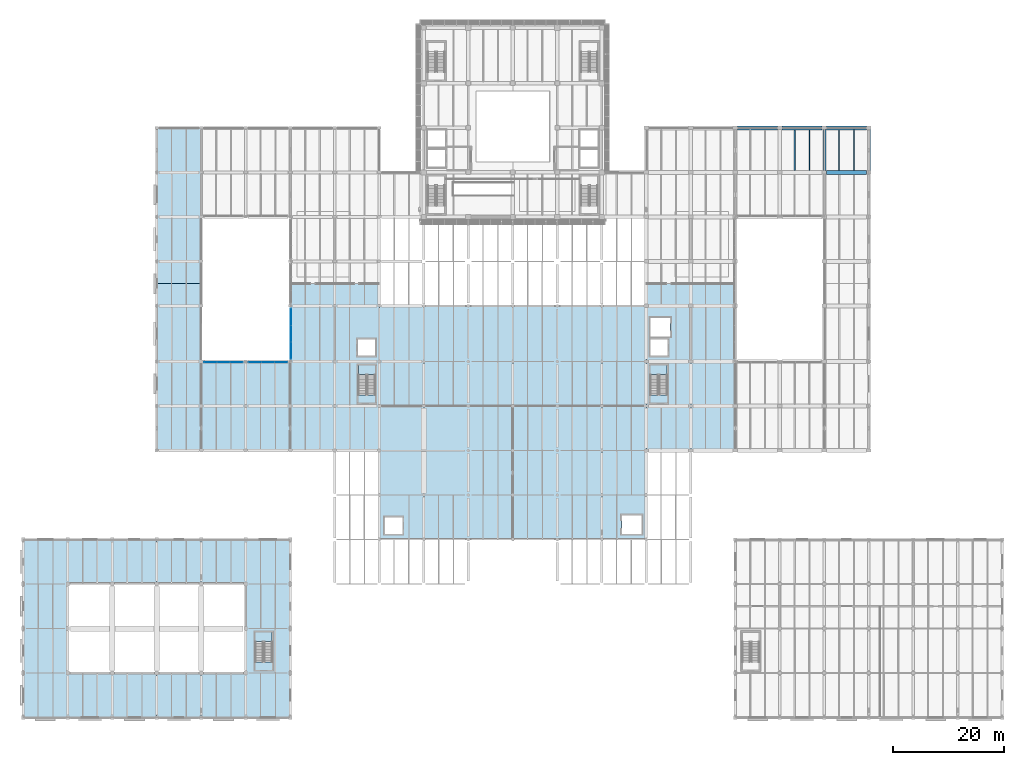
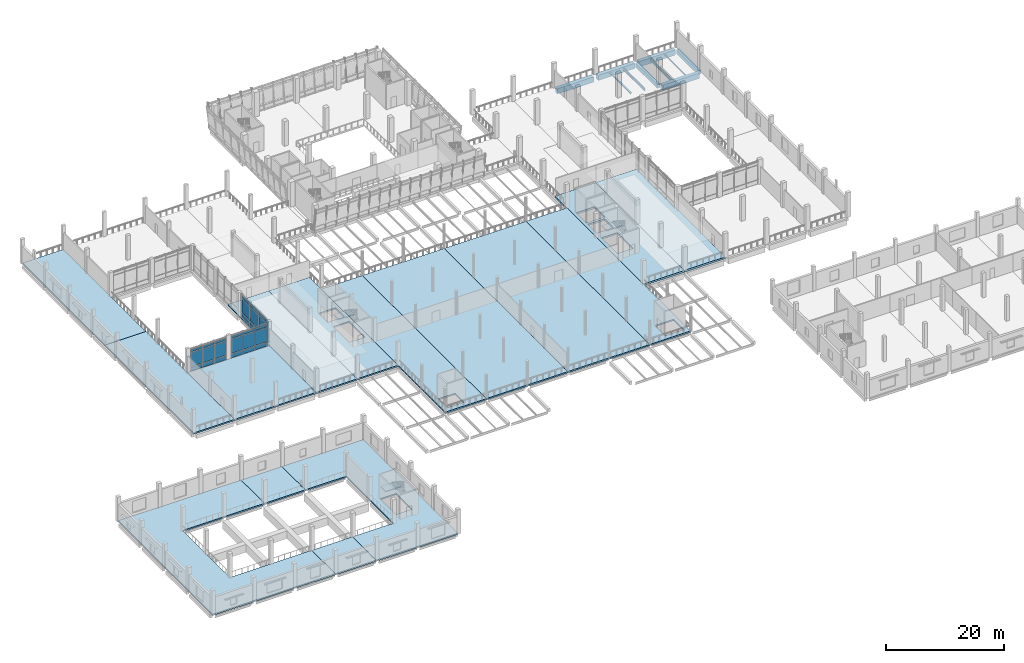
# One storey, part 26 of 61: 27 plates, 18 slabs, 10 beams, 6 elements without a shape of their own.
"""IFC4 building model written with IfcOpenShell, lengths in metres."""

from ifc_helpers import new_model, si_unit, direction, frame, origin, origin_2d, place, context, subcontext, project, spatial, polyline, rectangle, i_section, outline, extrude, material, layer, layer_set, material_profile, profile_set, type_object, element, aggregate, save


model = new_model("IFC4")

# Units and contexts
model_context = context("Model", 3, precision=1e-05, world=origin(), true_north=direction((0.0, 1.0)))
body_context = subcontext(model_context, "Body", "Model", "MODEL_VIEW")
ifc_project = project(units=[si_unit("LENGTHUNIT", "METRE"), si_unit("AREAUNIT", "SQUARE_METRE"), si_unit("VOLUMEUNIT", "CUBIC_METRE"), si_unit("PLANEANGLEUNIT", "RADIAN"), si_unit("MASSUNIT", "GRAM", prefix="KILO")], contexts=[model_context])

# Site, building, storey
site_placement = place(None, origin())
site = spatial("IfcSite", under=ifc_project, at=site_placement, CompositionType="ELEMENT")
building_placement = place(site_placement, origin())
building = spatial("IfcBuilding", under=site, at=building_placement, Name="Pecanmere Concourse Central Library", CompositionType="ELEMENT")
storey_placement = place(building_placement, frame((0.0, 0.0, 5.39990234375)))
storey = spatial("IfcBuildingStorey", under=building, at=storey_placement, Name="L02", CompositionType="ELEMENT", Elevation=5.39990234375)

# Beams
ifc_material_1 = material(Name="Concrete C40/50", Category="concrete")
ifc_material_profile_1 = material_profile(ifc_material_1, rectangle(XDim=0.56005859375, YDim=0.830078125, at=origin_2d()), Name="RC 560x830")
ifc_profile_set_1 = profile_set([ifc_material_profile_1], Name="Concrete C40/50")
beam_type_1 = type_object("IfcBeamType", Name="GRD_560x830", PredefinedType="USERDEFINED", material=ifc_profile_set_1)
for number, where, z_axis, x_axis, name in (
    (1, (144.0, 98.330078125, -0.784912109375), (0.0, 1.0, 0.0), (-1.0, 0.0, 0.0), "Primary Girder Y L02-1135"),
    (2, (152.0, 98.330078125, -0.784912109375), (0.0, 1.0, 0.0), (-1.0, 0.0, 0.0), "Primary Girder Y L02-1146"),
):
    element("IfcBeam", number, at=place(storey_placement, frame(where, z_axis=z_axis, x_axis=x_axis)), inside=storey, type_object=beam_type_1, Name=name, ObjectType="GIRDER", PredefinedType="USERDEFINED", context=body_context, shape_type="SweptSolid", body=[
        extrude(rectangle(XDim=0.56005859375, YDim=0.830078125, at=origin_2d()), origin(), (0.0, 0.0, 1.0), 7.33984375),
    ])
ifc_material_2 = material(Name="Concrete C40/50", Category="concrete")
ifc_material_profile_2 = material_profile(ifc_material_2, rectangle(XDim=0.719970703125, YDim=1.080078125, at=origin_2d()), Name="RC 720x1080")
ifc_profile_set_2 = profile_set([ifc_material_profile_2], Name="Concrete C40/50")
beam_type_2 = type_object("IfcBeamType", Name="GRD_720x1080", PredefinedType="USERDEFINED", material=ifc_profile_set_2)
for number, where, z_axis, x_axis, name in (
    (3, (144.429931640625, 98.0, -0.909912109375), (1.0, 0.0, 0.0), (0.0, 1.0, 0.0), "Primary Girder X L02-0940"),
    (4, (128.429931640625, 106.0, -0.909912109375), (1.0, 0.0, 0.0), (0.0, 1.0, 0.0), "Primary Girder X L02-0950"),
    (5, (136.429931640625, 106.0, -0.909912109375), (1.0, 0.0, 0.0), (0.0, 1.0, 0.0), "Primary Girder X L02-0951"),
    (6, (144.429931640625, 106.0, -0.909912109375), (1.0, 0.0, 0.0), (0.0, 1.0, 0.0), "Primary Girder X L02-0952"),
):
    element("IfcBeam", number, at=place(storey_placement, frame(where, z_axis=z_axis, x_axis=x_axis)), inside=storey, type_object=beam_type_2, Name=name, ObjectType="GIRDER", PredefinedType="USERDEFINED", context=body_context, shape_type="SweptSolid", body=[
        extrude(rectangle(XDim=0.719970703125, YDim=1.080078125, at=origin_2d()), origin(), (0.0, 0.0, 1.0), 7.14013671875),
    ])
ifc_material_3 = material(Name="Structural steel ASTM A992 Grade 50", Category="steel")
ifc_material_profile_3 = material_profile(ifc_material_3, i_section(OverallWidth=0.1650390625, OverallDepth=0.200927734375, WebThickness=0.006103515625, FlangeThickness=0.01025390625, at=origin_2d()), Name="W200x35.9")
ifc_profile_set_3 = profile_set([ifc_material_profile_3], Name="Structural steel ASTM A992 Grade 50")
beam_type_3 = type_object("IfcBeamType", Name="SBM_W200x36", PredefinedType="LINTEL", material=ifc_profile_set_3)
beam_1_placement = place(storey_placement, frame((149.333251953125, 98.360107421875, -0.470458984375), z_axis=(0.0, 1.0, 0.0), x_axis=(-1.0, 0.0, 0.0)))
element("IfcBeam", 7, at=beam_1_placement, inside=storey, type_object=beam_type_3, Name="Secondary Floor Joist L02-1447", PredefinedType="LINTEL", context=body_context, shape_type="SweptSolid", body=[
    extrude(i_section(OverallWidth=0.1650390625, OverallDepth=0.200927734375, WebThickness=0.006103515625, FlangeThickness=0.01025390625, at=origin_2d()), origin(), (0.0, 0.0, 1.0), 7.27978515625),
])
ifc_material_4 = material(Name="Structural steel ASTM A992 Grade 50", Category="steel")
ifc_material_profile_4 = material_profile(ifc_material_4, i_section(OverallWidth=0.25390625, OverallDepth=0.2529296875, WebThickness=0.008544921875, FlangeThickness=0.01416015625, at=origin_2d()), Name="W250x73")
ifc_profile_set_4 = profile_set([ifc_material_profile_4], Name="Structural steel ASTM A992 Grade 50")
beam_type_4 = type_object("IfcBeamType", Name="SBM_W250x73", PredefinedType="BEAM", material=ifc_profile_set_4)
beam_2_placement = place(storey_placement, frame((138.666748046875, 98.360107421875, -0.496337890625), z_axis=(0.0, 1.0, 0.0), x_axis=(-1.0, 0.0, 0.0)))
element("IfcBeam", 8, at=beam_2_placement, inside=storey, type_object=beam_type_4, Name="Secondary Floor Joist L02-1424", PredefinedType="BEAM", context=body_context, shape_type="SweptSolid", body=[
    extrude(i_section(OverallWidth=0.25390625, OverallDepth=0.2529296875, WebThickness=0.008544921875, FlangeThickness=0.01416015625, at=origin_2d()), origin(), (0.0, 0.0, 1.0), 7.27978515625),
])
ifc_material_5 = material(Name="Structural steel ASTM A992 Grade 50", Category="steel")
ifc_material_profile_5 = material_profile(ifc_material_5, i_section(OverallWidth=0.2109375, OverallDepth=0.5390625, WebThickness=0.01171875, FlangeThickness=0.018798828125, at=origin_2d()), Name="W530x109")
ifc_profile_set_5 = profile_set([ifc_material_profile_5], Name="Structural steel ASTM A992 Grade 50")
beam_type_5 = type_object("IfcBeamType", Name="SBM_W530x109", PredefinedType="USERDEFINED", material=ifc_profile_set_5)
beam_3_placement = place(storey_placement, frame((146.666748046875, 98.360107421875, -0.639404296875), z_axis=(0.0, 1.0, 0.0), x_axis=(-1.0, 0.0, 0.0)))
element("IfcBeam", 9, at=beam_3_placement, inside=storey, type_object=beam_type_5, Name="Secondary Floor Joist L02-1446", ObjectType="GIRDER", PredefinedType="USERDEFINED", context=body_context, shape_type="SweptSolid", body=[
    extrude(i_section(OverallWidth=0.2109375, OverallDepth=0.5390625, WebThickness=0.01171875, FlangeThickness=0.018798828125, at=origin_2d()), origin(), (0.0, 0.0, 1.0), 7.27978515625),
])
ifc_material_6 = material(Name="Structural steel ASTM A992 Grade 50", Category="steel")
ifc_material_profile_6 = material_profile(ifc_material_6, i_section(OverallWidth=0.208984375, OverallDepth=0.532958984375, WebThickness=0.01025390625, FlangeThickness=0.015625, at=origin_2d()), Name="W530x92")
ifc_profile_set_6 = profile_set([ifc_material_profile_6], Name="Structural steel ASTM A992 Grade 50")
beam_type_6 = type_object("IfcBeamType", Name="SBM_W530x92", PredefinedType="BEAM", material=ifc_profile_set_6)
beam_4_placement = place(storey_placement, frame((141.333251953125, 98.360107421875, -0.636474609375), z_axis=(0.0, 1.0, 0.0), x_axis=(-1.0, 0.0, 0.0)))
element("IfcBeam", 10, at=beam_4_placement, inside=storey, type_object=beam_type_6, Name="Secondary Floor Joist L02-1425", PredefinedType="BEAM", context=body_context, shape_type="SweptSolid", body=[
    extrude(i_section(OverallWidth=0.208984375, OverallDepth=0.532958984375, WebThickness=0.01025390625, FlangeThickness=0.015625, at=origin_2d()), origin(), (0.0, 0.0, 1.0), 7.27978515625),
])

# Curtain wall, plates
ifc_material_7 = material(Name="Clear anodized aluminium alloy 6063-T6", Category="aluminium")
curtain_wall_type = type_object("IfcCurtainWallType", Name="CW_CLOISTER_GLAZ", PredefinedType="USERDEFINED", material=ifc_material_7)
curtain_wall_1_placement = place(storey_placement, origin())
curtain_wall_1 = element("IfcCurtainWall", 11, at=curtain_wall_1_placement, inside=storey, type_object=curtain_wall_type, Name="Unitised Curtain Wall CW-04 L02-116", ObjectType="UNITISED CURTAIN WALL", PredefinedType="USERDEFINED")
ifc_material_8 = material(Name="White ceramic-fritted insulated spandrel glazing", Category="glass")
ifc_layer_1 = layer(ifc_material_8, 0.053955078125, Name="CWP_SPN_54")
ifc_layer_set_1 = layer_set([ifc_layer_1], Name="White ceramic-fritted insulated spandrel glazing")
plate_type_1 = type_object("IfcPlateType", Name="CWP_SPN_54", PredefinedType="CURTAIN_PANEL", material=ifc_layer_set_1)
plate_1_placement = place(storey_placement, frame((48.14990234375, 71.998291015625, 0.14013671875), z_axis=(0.0, 0.0, 1.0), x_axis=(0.0, -1.0, 0.0)))
plate_1 = element("IfcPlate", 12, at=plate_1_placement, type_object=plate_type_1, Name="CW-04 Spandrel Panel 1.1", PredefinedType="CURTAIN_PANEL", context=body_context, shape_type="SweptSolid", body=[
    extrude(rectangle(XDim=2.92333984375, YDim=0.035888671875, at=origin_2d()), origin(), (0.0, 0.0, 1.0), 0.7900390625),
])
plate_2_placement = place(storey_placement, frame((48.14990234375, 69.0, 0.14013671875), z_axis=(0.0, 0.0, 1.0), x_axis=(0.0, -1.0, 0.0)))
plate_2 = element("IfcPlate", 13, at=plate_2_placement, type_object=plate_type_1, Name="CW-04 Spandrel Panel 2.1", PredefinedType="CURTAIN_PANEL", context=body_context, shape_type="SweptSolid", body=[
    extrude(rectangle(XDim=2.953369140625, YDim=0.035888671875, at=origin_2d()), origin(), (0.0, 0.0, 1.0), 0.7900390625),
])
plate_3_placement = place(storey_placement, frame((48.14990234375, 66.001708984375, 0.14013671875), z_axis=(0.0, 0.0, 1.0), x_axis=(0.0, -1.0, 0.0)))
plate_3 = element("IfcPlate", 14, at=plate_3_placement, type_object=plate_type_1, Name="CW-04 Spandrel Panel 3.1", PredefinedType="CURTAIN_PANEL", context=body_context, shape_type="SweptSolid", body=[
    extrude(rectangle(XDim=2.92333984375, YDim=0.035888671875, at=origin_2d()), origin(), (0.0, 0.0, 1.0), 0.7900390625),
])

curtain_wall_2_placement = place(storey_placement, origin())
curtain_wall_2 = element("IfcCurtainWall", 15, at=curtain_wall_2_placement, inside=storey, type_object=curtain_wall_type, Name="Unitised Curtain Wall CW-04 L02-125", ObjectType="UNITISED CURTAIN WALL", PredefinedType="USERDEFINED")
plate_4_placement = place(storey_placement, frame((33.668212890625, 63.85009765625, 0.14013671875), z_axis=(0.0, 0.0, 1.0), x_axis=(1.0, 0.0, 0.0)))
plate_4 = element("IfcPlate", 16, at=plate_4_placement, type_object=plate_type_1, Name="CW-04 Spandrel Panel 1.1", PredefinedType="CURTAIN_PANEL", context=body_context, shape_type="SweptSolid", body=[
    extrude(rectangle(XDim=2.256591796875, YDim=0.035888671875, at=origin_2d()), origin(), (0.0, 0.0, 1.0), 0.7900390625),
])
plate_5_placement = place(storey_placement, frame((36.0, 63.85009765625, 0.14013671875), z_axis=(0.0, 0.0, 1.0), x_axis=(1.0, 0.0, 0.0)))
plate_5 = element("IfcPlate", 17, at=plate_5_placement, type_object=plate_type_1, Name="CW-04 Spandrel Panel 2.1", PredefinedType="CURTAIN_PANEL", context=body_context, shape_type="SweptSolid", body=[
    extrude(rectangle(XDim=2.28662109375, YDim=0.035888671875, at=origin_2d()), origin(), (0.0, 0.0, 1.0), 0.7900390625),
])
plate_6_placement = place(storey_placement, frame((38.331787109375, 63.85009765625, 0.14013671875), z_axis=(0.0, 0.0, 1.0), x_axis=(1.0, 0.0, 0.0)))
plate_6 = element("IfcPlate", 18, at=plate_6_placement, type_object=plate_type_1, Name="CW-04 Spandrel Panel 3.1", PredefinedType="CURTAIN_PANEL", context=body_context, shape_type="SweptSolid", body=[
    extrude(rectangle(XDim=2.256591796875, YDim=0.035888671875, at=origin_2d()), origin(), (0.0, 0.0, 1.0), 0.7900390625),
])

curtain_wall_3_placement = place(storey_placement, origin())
curtain_wall_3 = element("IfcCurtainWall", 19, at=curtain_wall_3_placement, inside=storey, type_object=curtain_wall_type, Name="Unitised Curtain Wall CW-04 L02-127", ObjectType="UNITISED CURTAIN WALL", PredefinedType="USERDEFINED")
plate_7_placement = place(storey_placement, frame((41.668212890625, 63.85009765625, 0.14013671875), z_axis=(0.0, 0.0, 1.0), x_axis=(1.0, 0.0, 0.0)))
plate_7 = element("IfcPlate", 20, at=plate_7_placement, type_object=plate_type_1, Name="CW-04 Spandrel Panel 1.1", PredefinedType="CURTAIN_PANEL", context=body_context, shape_type="SweptSolid", body=[
    extrude(rectangle(XDim=2.256591796875, YDim=0.035888671875, at=origin_2d()), origin(), (0.0, 0.0, 1.0), 0.7900390625),
])
plate_8_placement = place(storey_placement, frame((44.0, 63.85009765625, 0.14013671875), z_axis=(0.0, 0.0, 1.0), x_axis=(1.0, 0.0, 0.0)))
plate_8 = element("IfcPlate", 21, at=plate_8_placement, type_object=plate_type_1, Name="CW-04 Spandrel Panel 2.1", PredefinedType="CURTAIN_PANEL", context=body_context, shape_type="SweptSolid", body=[
    extrude(rectangle(XDim=2.28662109375, YDim=0.035888671875, at=origin_2d()), origin(), (0.0, 0.0, 1.0), 0.7900390625),
])
plate_9_placement = place(storey_placement, frame((46.331787109375, 63.85009765625, 0.14013671875), z_axis=(0.0, 0.0, 1.0), x_axis=(1.0, 0.0, 0.0)))
plate_9 = element("IfcPlate", 22, at=plate_9_placement, type_object=plate_type_1, Name="CW-04 Spandrel Panel 3.1", PredefinedType="CURTAIN_PANEL", context=body_context, shape_type="SweptSolid", body=[
    extrude(rectangle(XDim=2.256591796875, YDim=0.035888671875, at=origin_2d()), origin(), (0.0, 0.0, 1.0), 0.7900390625),
])

# Plate
ifc_material_9 = material(Name="Low-iron clear insulated glazing", Category="glass")
ifc_layer_2 = layer(ifc_material_9, 0.035888671875, Name="CWP_VIS_36")
ifc_layer_set_2 = layer_set([ifc_layer_2], Name="Low-iron clear insulated glazing")
plate_type_2 = type_object("IfcPlateType", Name="CWP_VIS_36", PredefinedType="CURTAIN_PANEL", material=ifc_layer_set_2)
plate_10_placement = place(storey_placement, frame((48.14990234375, 71.998291015625, 1.070068359375), z_axis=(0.0, 0.0, 1.0), x_axis=(0.0, -1.0, 0.0)))
plate_10 = element("IfcPlate", 23, at=plate_10_placement, type_object=plate_type_2, Name="CW-04 Vision Panel 1.2", PredefinedType="CURTAIN_PANEL", context=body_context, shape_type="SweptSolid", body=[
    extrude(rectangle(XDim=2.92333984375, YDim=0.035888671875, at=origin_2d()), origin(), (0.0, 0.0, 1.0), 2.919921875),
])

plate_11_placement = place(storey_placement, frame((48.14990234375, 71.998291015625, 4.1298828125), z_axis=(0.0, 0.0, 1.0), x_axis=(0.0, -1.0, 0.0)))
plate_11 = element("IfcPlate", 24, at=plate_11_placement, type_object=plate_type_2, Name="CW-04 Vision Panel 1.3", PredefinedType="CURTAIN_PANEL", context=body_context, shape_type="SweptSolid", body=[
    extrude(rectangle(XDim=2.92333984375, YDim=0.035888671875, at=origin_2d()), origin(), (0.0, 0.0, 1.0), 0.489990234375),
])

plate_12_placement = place(storey_placement, frame((48.14990234375, 69.0, 1.070068359375), z_axis=(0.0, 0.0, 1.0), x_axis=(0.0, -1.0, 0.0)))
plate_12 = element("IfcPlate", 25, at=plate_12_placement, type_object=plate_type_2, Name="CW-04 Vision Panel 2.2", PredefinedType="CURTAIN_PANEL", context=body_context, shape_type="SweptSolid", body=[
    extrude(rectangle(XDim=2.953369140625, YDim=0.035888671875, at=origin_2d()), origin(), (0.0, 0.0, 1.0), 2.919921875),
])

plate_13_placement = place(storey_placement, frame((48.14990234375, 69.0, 4.1298828125), z_axis=(0.0, 0.0, 1.0), x_axis=(0.0, -1.0, 0.0)))
plate_13 = element("IfcPlate", 26, at=plate_13_placement, type_object=plate_type_2, Name="CW-04 Vision Panel 2.3", PredefinedType="CURTAIN_PANEL", context=body_context, shape_type="SweptSolid", body=[
    extrude(rectangle(XDim=2.953369140625, YDim=0.035888671875, at=origin_2d()), origin(), (0.0, 0.0, 1.0), 0.489990234375),
])

plate_14_placement = place(storey_placement, frame((48.14990234375, 66.001708984375, 1.070068359375), z_axis=(0.0, 0.0, 1.0), x_axis=(0.0, -1.0, 0.0)))
plate_14 = element("IfcPlate", 27, at=plate_14_placement, type_object=plate_type_2, Name="CW-04 Vision Panel 3.2", PredefinedType="CURTAIN_PANEL", context=body_context, shape_type="SweptSolid", body=[
    extrude(rectangle(XDim=2.92333984375, YDim=0.035888671875, at=origin_2d()), origin(), (0.0, 0.0, 1.0), 2.919921875),
])

plate_15_placement = place(storey_placement, frame((48.14990234375, 66.001708984375, 4.1298828125), z_axis=(0.0, 0.0, 1.0), x_axis=(0.0, -1.0, 0.0)))
plate_15 = element("IfcPlate", 28, at=plate_15_placement, type_object=plate_type_2, Name="CW-04 Vision Panel 3.3", PredefinedType="CURTAIN_PANEL", context=body_context, shape_type="SweptSolid", body=[
    extrude(rectangle(XDim=2.92333984375, YDim=0.035888671875, at=origin_2d()), origin(), (0.0, 0.0, 1.0), 0.489990234375),
])

aggregate(curtain_wall_1, [plate_1, plate_10, plate_11, plate_2, plate_12, plate_13, plate_3, plate_14, plate_15])

plate_16_placement = place(storey_placement, frame((33.668212890625, 63.85009765625, 1.070068359375), z_axis=(0.0, 0.0, 1.0), x_axis=(1.0, 0.0, 0.0)))
plate_16 = element("IfcPlate", 29, at=plate_16_placement, type_object=plate_type_2, Name="CW-04 Vision Panel 1.2", PredefinedType="CURTAIN_PANEL", context=body_context, shape_type="SweptSolid", body=[
    extrude(rectangle(XDim=2.256591796875, YDim=0.035888671875, at=origin_2d()), origin(), (0.0, 0.0, 1.0), 2.919921875),
])

plate_17_placement = place(storey_placement, frame((33.668212890625, 63.85009765625, 4.1298828125), z_axis=(0.0, 0.0, 1.0), x_axis=(1.0, 0.0, 0.0)))
plate_17 = element("IfcPlate", 30, at=plate_17_placement, type_object=plate_type_2, Name="CW-04 Vision Panel 1.3", PredefinedType="CURTAIN_PANEL", context=body_context, shape_type="SweptSolid", body=[
    extrude(rectangle(XDim=2.256591796875, YDim=0.035888671875, at=origin_2d()), origin(), (0.0, 0.0, 1.0), 0.489990234375),
])

plate_18_placement = place(storey_placement, frame((36.0, 63.85009765625, 1.070068359375), z_axis=(0.0, 0.0, 1.0), x_axis=(1.0, 0.0, 0.0)))
plate_18 = element("IfcPlate", 31, at=plate_18_placement, type_object=plate_type_2, Name="CW-04 Vision Panel 2.2", PredefinedType="CURTAIN_PANEL", context=body_context, shape_type="SweptSolid", body=[
    extrude(rectangle(XDim=2.28662109375, YDim=0.035888671875, at=origin_2d()), origin(), (0.0, 0.0, 1.0), 2.919921875),
])

plate_19_placement = place(storey_placement, frame((36.0, 63.85009765625, 4.1298828125), z_axis=(0.0, 0.0, 1.0), x_axis=(1.0, 0.0, 0.0)))
plate_19 = element("IfcPlate", 32, at=plate_19_placement, type_object=plate_type_2, Name="CW-04 Vision Panel 2.3", PredefinedType="CURTAIN_PANEL", context=body_context, shape_type="SweptSolid", body=[
    extrude(rectangle(XDim=2.28662109375, YDim=0.035888671875, at=origin_2d()), origin(), (0.0, 0.0, 1.0), 0.489990234375),
])

plate_20_placement = place(storey_placement, frame((38.331787109375, 63.85009765625, 1.070068359375), z_axis=(0.0, 0.0, 1.0), x_axis=(1.0, 0.0, 0.0)))
plate_20 = element("IfcPlate", 33, at=plate_20_placement, type_object=plate_type_2, Name="CW-04 Vision Panel 3.2", PredefinedType="CURTAIN_PANEL", context=body_context, shape_type="SweptSolid", body=[
    extrude(rectangle(XDim=2.256591796875, YDim=0.035888671875, at=origin_2d()), origin(), (0.0, 0.0, 1.0), 2.919921875),
])

plate_21_placement = place(storey_placement, frame((38.331787109375, 63.85009765625, 4.1298828125), z_axis=(0.0, 0.0, 1.0), x_axis=(1.0, 0.0, 0.0)))
plate_21 = element("IfcPlate", 34, at=plate_21_placement, type_object=plate_type_2, Name="CW-04 Vision Panel 3.3", PredefinedType="CURTAIN_PANEL", context=body_context, shape_type="SweptSolid", body=[
    extrude(rectangle(XDim=2.256591796875, YDim=0.035888671875, at=origin_2d()), origin(), (0.0, 0.0, 1.0), 0.489990234375),
])

aggregate(curtain_wall_2, [plate_4, plate_16, plate_17, plate_5, plate_18, plate_19, plate_6, plate_20, plate_21])

plate_22_placement = place(storey_placement, frame((41.668212890625, 63.85009765625, 1.070068359375), z_axis=(0.0, 0.0, 1.0), x_axis=(1.0, 0.0, 0.0)))
plate_22 = element("IfcPlate", 35, at=plate_22_placement, type_object=plate_type_2, Name="CW-04 Vision Panel 1.2", PredefinedType="CURTAIN_PANEL", context=body_context, shape_type="SweptSolid", body=[
    extrude(rectangle(XDim=2.256591796875, YDim=0.035888671875, at=origin_2d()), origin(), (0.0, 0.0, 1.0), 2.919921875),
])

plate_23_placement = place(storey_placement, frame((41.668212890625, 63.85009765625, 4.1298828125), z_axis=(0.0, 0.0, 1.0), x_axis=(1.0, 0.0, 0.0)))
plate_23 = element("IfcPlate", 36, at=plate_23_placement, type_object=plate_type_2, Name="CW-04 Vision Panel 1.3", PredefinedType="CURTAIN_PANEL", context=body_context, shape_type="SweptSolid", body=[
    extrude(rectangle(XDim=2.256591796875, YDim=0.035888671875, at=origin_2d()), origin(), (0.0, 0.0, 1.0), 0.489990234375),
])

plate_24_placement = place(storey_placement, frame((44.0, 63.85009765625, 1.070068359375), z_axis=(0.0, 0.0, 1.0), x_axis=(1.0, 0.0, 0.0)))
plate_24 = element("IfcPlate", 37, at=plate_24_placement, type_object=plate_type_2, Name="CW-04 Vision Panel 2.2", PredefinedType="CURTAIN_PANEL", context=body_context, shape_type="SweptSolid", body=[
    extrude(rectangle(XDim=2.28662109375, YDim=0.035888671875, at=origin_2d()), origin(), (0.0, 0.0, 1.0), 2.919921875),
])

plate_25_placement = place(storey_placement, frame((44.0, 63.85009765625, 4.1298828125), z_axis=(0.0, 0.0, 1.0), x_axis=(1.0, 0.0, 0.0)))
plate_25 = element("IfcPlate", 38, at=plate_25_placement, type_object=plate_type_2, Name="CW-04 Vision Panel 2.3", PredefinedType="CURTAIN_PANEL", context=body_context, shape_type="SweptSolid", body=[
    extrude(rectangle(XDim=2.28662109375, YDim=0.035888671875, at=origin_2d()), origin(), (0.0, 0.0, 1.0), 0.489990234375),
])

plate_26_placement = place(storey_placement, frame((46.331787109375, 63.85009765625, 1.070068359375), z_axis=(0.0, 0.0, 1.0), x_axis=(1.0, 0.0, 0.0)))
plate_26 = element("IfcPlate", 39, at=plate_26_placement, type_object=plate_type_2, Name="CW-04 Vision Panel 3.2", PredefinedType="CURTAIN_PANEL", context=body_context, shape_type="SweptSolid", body=[
    extrude(rectangle(XDim=2.256591796875, YDim=0.035888671875, at=origin_2d()), origin(), (0.0, 0.0, 1.0), 2.919921875),
])

plate_27_placement = place(storey_placement, frame((46.331787109375, 63.85009765625, 4.1298828125), z_axis=(0.0, 0.0, 1.0), x_axis=(1.0, 0.0, 0.0)))
plate_27 = element("IfcPlate", 40, at=plate_27_placement, type_object=plate_type_2, Name="CW-04 Vision Panel 3.3", PredefinedType="CURTAIN_PANEL", context=body_context, shape_type="SweptSolid", body=[
    extrude(rectangle(XDim=2.256591796875, YDim=0.035888671875, at=origin_2d()), origin(), (0.0, 0.0, 1.0), 0.489990234375),
])

aggregate(curtain_wall_3, [plate_7, plate_22, plate_23, plate_8, plate_24, plate_25, plate_9, plate_26, plate_27])

# Slabs
ifc_material_10 = material(Name="Concrete C35/45", Category="concrete")
ifc_layer_3 = layer(ifc_material_10, 0.3701171875, Name="SLAB_COMPACT_370")
ifc_layer_set_3 = layer_set([ifc_layer_3], Name="Concrete C35/45")
slab_type_1 = type_object("IfcSlabType", Name="SLAB_COMPACT_370", PredefinedType="FLOOR", material=ifc_layer_set_3)
slab_1_placement = place(storey_placement, frame((0.0, 0.0, -0.369873046875)))
element("IfcSlab", 41, at=slab_1_placement, inside=storey, type_object=slab_type_1, Name="Floor Slab V2 L02-071", PredefinedType="FLOOR", context=body_context, shape_type="SweptSolid", body=[
    extrude(outline(polyline([(112.0, 48.0), (112.0, 78.0), (120.0, 78.0), (120.0, 48.0), (112.0, 48.0)]), holes=[polyline([(115.760009765625, 58.030029296875), (115.760009765625, 63.3701171875), (112.699951171875, 63.3701171875), (112.699951171875, 58.030029296875), (115.760009765625, 58.030029296875)]), polyline([(115.89990234375, 65.0), (115.89990234375, 68.0), (112.699951171875, 68.0), (112.699951171875, 65.0), (115.89990234375, 65.0)]), polyline([(116.300048828125, 71.89990234375), (112.699951171875, 71.89990234375), (112.699951171875, 68.5), (116.300048828125, 68.5), (116.300048828125, 71.89990234375)])]), origin(), (0.0, 0.0, 1.0), 0.369873046875),
])
slab_2_placement = place(storey_placement, frame((0.0, 0.0, -0.369873046875)))
element("IfcSlab", 42, at=slab_2_placement, inside=storey, type_object=slab_type_1, Name="Floor Slab V2 L02-073", PredefinedType="FLOOR", context=body_context, shape_type="SweptSolid", body=[
    extrude(outline(polyline([(128.0, 48.0), (120.0, 48.0), (120.0, 78.0), (128.0, 78.0), (128.0, 64.0), (128.0, 48.0)])), origin(), (0.0, 0.0, 1.0), 0.369873046875),
])

# Stair, slab
ifc_material_11 = material(Name="Concrete C35/45", Category="concrete")
stair_type_1 = type_object("IfcStairType", Name="STAIR_TYPE_ST-05-1821", PredefinedType="USERDEFINED", material=ifc_material_11)
stair_1_placement = place(storey_placement, origin())
stair_1 = element("IfcStair", 43, at=stair_1_placement, inside=storey, type_object=stair_type_1, Name="L02 Protected Stair ST-05", ObjectType="TWO_RETURN_STAIR", PredefinedType="USERDEFINED")
ifc_material_12 = material(Name="Concrete C35/45", Category="concrete")
ifc_layer_4 = layer(ifc_material_12, 0.199951171875, Name="SLAB_LANDING_200")
ifc_layer_set_4 = layer_set([ifc_layer_4], Name="Concrete C35/45")
slab_type_2 = type_object("IfcSlabType", Name="SLAB_LANDING_200", PredefinedType="LANDING", material=ifc_layer_set_4)
slab_3_placement = place(storey_placement, frame((0.0, 0.0, 2.35009765625)))
slab_3 = element("IfcSlab", 44, at=slab_3_placement, type_object=slab_type_2, Name="ST-05-1821 landing 1", PredefinedType="LANDING", context=body_context, shape_type="SweptSolid", body=[
    extrude(outline(polyline([(115.760009765625, 61.639892578125), (115.760009765625, 63.3701171875), (112.699951171875, 63.3701171875), (112.699951171875, 61.639892578125), (115.760009765625, 61.639892578125)])), origin(), (0.0, 0.0, 1.0), 0.199951171875),
])
aggregate(stair_1, [slab_3])

ifc_material_13 = material(Name="Concrete C35/45", Category="concrete")
stair_type_2 = type_object("IfcStairType", Name="STAIR_TYPE_ST-06-1821", PredefinedType="USERDEFINED", material=ifc_material_13)
stair_2_placement = place(storey_placement, origin())
stair_2 = element("IfcStair", 45, at=stair_2_placement, inside=storey, type_object=stair_type_2, Name="L02 Protected Stair ST-06", ObjectType="TWO_RETURN_STAIR", PredefinedType="USERDEFINED")
slab_4_placement = place(storey_placement, frame((0.0, 0.0, 2.35009765625)))
slab_4 = element("IfcSlab", 46, at=slab_4_placement, type_object=slab_type_2, Name="ST-06-1821 landing 1", PredefinedType="LANDING", context=body_context, shape_type="SweptSolid", body=[
    extrude(outline(polyline([(63.300048828125, 61.639892578125), (63.300048828125, 63.3701171875), (60.239990234375, 63.3701171875), (60.239990234375, 61.639892578125), (63.300048828125, 61.639892578125)])), origin(), (0.0, 0.0, 1.0), 0.199951171875),
])
aggregate(stair_2, [slab_4])

ifc_material_14 = material(Name="Concrete C35/45", Category="concrete")
stair_type_3 = type_object("IfcStairType", Name="STAIR_TYPE_ST-07-1821", PredefinedType="USERDEFINED", material=ifc_material_14)
stair_3_placement = place(storey_placement, origin())
stair_3 = element("IfcStair", 47, at=stair_3_placement, inside=storey, type_object=stair_type_3, Name="L02 Protected Stair ST-07", ObjectType="TWO_RETURN_STAIR", PredefinedType="USERDEFINED")
slab_5_placement = place(storey_placement, frame((0.0, 0.0, 2.35009765625)))
slab_5 = element("IfcSlab", 48, at=slab_5_placement, type_object=slab_type_2, Name="ST-07-1821 landing 1", PredefinedType="LANDING", context=body_context, shape_type="SweptSolid", body=[
    extrude(outline(polyline([(44.760009765625, 13.639892578125), (44.760009765625, 15.3701171875), (41.699951171875, 15.3701171875), (41.699951171875, 13.639892578125), (44.760009765625, 13.639892578125)])), origin(), (0.0, 0.0, 1.0), 0.199951171875),
])
aggregate(stair_3, [slab_5])

# Slabs
ifc_material_15 = material(Name="Concrete C35/45", Category="concrete")
ifc_layer_5 = layer(ifc_material_15, 0.284912109375, Name="SLAB_READ_285")
ifc_layer_set_5 = layer_set([ifc_layer_5], Name="Concrete C35/45")
slab_type_3 = type_object("IfcSlabType", Name="SLAB_READ_285", PredefinedType="FLOOR", material=ifc_layer_set_5)
slab_6_placement = place(storey_placement, frame((0.0, 0.0, -0.284912109375)))
element("IfcSlab", 49, at=slab_6_placement, inside=storey, type_object=slab_type_3, Name="Floor Slab V3 L02-079", PredefinedType="FLOOR", context=body_context, shape_type="SweptSolid", body=[
    extrude(outline(polyline([(32.0, 48.0), (24.0, 48.0), (24.0, 78.0), (32.0, 78.0), (32.0, 64.0), (32.0, 48.0)])), origin(), (0.0, 0.0, 1.0), 0.284912109375),
])
slab_7_placement = place(storey_placement, frame((0.0, 0.0, -0.284912109375)))
element("IfcSlab", 50, at=slab_7_placement, inside=storey, type_object=slab_type_3, Name="Floor Slab V3 L02-080", PredefinedType="FLOOR", context=body_context, shape_type="SweptSolid", body=[
    extrude(outline(polyline([(32.0, 90.0), (32.0, 78.0), (24.0, 78.0), (24.0, 106.0), (32.0, 106.0), (32.0, 90.0)])), origin(), (0.0, 0.0, 1.0), 0.284912109375),
])
slab_8_placement = place(storey_placement, frame((0.0, 0.0, -0.284912109375)))
element("IfcSlab", 51, at=slab_8_placement, inside=storey, type_object=slab_type_3, Name="Floor Slab V3 L02-081", PredefinedType="FLOOR", context=body_context, shape_type="SweptSolid", body=[
    extrude(outline(polyline([(32.0, 48.0), (32.0, 64.0), (48.0, 64.0), (48.0, 49.60009765625), (47.919921875, 49.60009765625), (47.919921875, 49.0), (48.0, 49.0), (48.0, 48.0), (32.0, 48.0)])), origin(), (0.0, 0.0, 1.0), 0.284912109375),
])
slab_9_placement = place(storey_placement, frame((0.0, 0.0, -0.284912109375)))
element("IfcSlab", 52, at=slab_9_placement, inside=storey, type_object=slab_type_3, Name="Floor Slab V3 L02-083", PredefinedType="FLOOR", context=body_context, shape_type="SweptSolid", body=[
    extrude(outline(polyline([(48.0, 48.0), (48.0, 64.0), (48.0, 78.0), (56.0, 78.0), (56.0, 48.0), (48.0, 48.0)])), origin(), (0.0, 0.0, 1.0), 0.284912109375),
])
slab_10_placement = place(storey_placement, frame((0.0, 0.0, -0.284912109375)))
element("IfcSlab", 53, at=slab_10_placement, inside=storey, type_object=slab_type_3, Name="Floor Slab V3 L02-085", PredefinedType="FLOOR", context=body_context, shape_type="SweptSolid", body=[
    extrude(outline(polyline([(56.0, 48.0), (56.0, 78.0), (64.0, 78.0), (64.0, 48.0), (56.0, 48.0)]), holes=[polyline([(63.300048828125, 63.3701171875), (60.239990234375, 63.3701171875), (60.239990234375, 58.030029296875), (63.300048828125, 58.030029296875), (63.300048828125, 63.3701171875)]), polyline([(63.300048828125, 68.0), (60.10009765625, 68.0), (60.10009765625, 65.0), (63.300048828125, 65.0), (63.300048828125, 68.0)])]), origin(), (0.0, 0.0, 1.0), 0.284912109375),
])
slab_11_placement = place(storey_placement, frame((0.0, 0.0, -0.284912109375)))
element("IfcSlab", 54, at=slab_11_placement, inside=storey, type_object=slab_type_3, Name="Floor Slab V4 L02-088", PredefinedType="FLOOR", context=body_context, shape_type="SweptSolid", body=[
    extrude(outline(polyline([(24.0, 32.0), (24.0, 24.0), (8.0, 24.0), (8.0, 8.0), (24.0, 8.0), (24.0, 0.0), (8.0, 0.0), (0.0, 0.0), (0.0, 32.0), (8.0, 32.0), (24.0, 32.0)])), origin(), (0.0, 0.0, 1.0), 0.284912109375),
])
slab_12_placement = place(storey_placement, frame((0.0, 0.0, -0.284912109375)))
element("IfcSlab", 55, at=slab_12_placement, inside=storey, type_object=slab_type_3, Name="Floor Slab V4 L02-089", PredefinedType="FLOOR", context=body_context, shape_type="SweptSolid", body=[
    extrude(outline(polyline([(24.0, 32.0), (32.0, 32.0), (32.0, 25.60009765625), (31.919921875, 25.60009765625), (31.919921875, 25.0), (32.0, 25.0), (32.0, 24.0), (24.0, 24.0), (24.0, 32.0)])), origin(), (0.0, 0.0, 1.0), 0.284912109375),
])
slab_13_placement = place(storey_placement, frame((0.0, 0.0, -0.284912109375)))
element("IfcSlab", 56, at=slab_13_placement, inside=storey, type_object=slab_type_3, Name="Floor Slab V4 L02-090", PredefinedType="FLOOR", context=body_context, shape_type="SweptSolid", body=[
    extrude(outline(polyline([(32.0, 1.60009765625), (31.919921875, 1.60009765625), (31.919921875, 1.0), (32.0, 1.0), (32.0, 0.0), (24.0, 0.0), (24.0, 8.0), (32.0, 8.0), (32.0, 1.60009765625)])), origin(), (0.0, 0.0, 1.0), 0.284912109375),
])
slab_14_placement = place(storey_placement, frame((0.0, 0.0, -0.284912109375)))
element("IfcSlab", 57, at=slab_14_placement, inside=storey, type_object=slab_type_3, Name="Floor Slab V4 L02-091", PredefinedType="FLOOR", context=body_context, shape_type="SweptSolid", body=[
    extrude(outline(polyline([(48.0, 0.0), (40.0, 0.0), (32.0, 0.0), (32.0, 8.0), (40.0, 8.0), (40.0, 24.0), (32.0, 24.0), (32.0, 32.0), (40.0, 32.0), (48.0, 32.0), (48.0, 0.0)]), holes=[polyline([(44.760009765625, 15.3701171875), (41.699951171875, 15.3701171875), (41.699951171875, 10.030029296875), (44.760009765625, 10.030029296875), (44.760009765625, 15.3701171875)])]), origin(), (0.0, 0.0, 1.0), 0.284912109375),
])
slab_15_placement = place(storey_placement, frame((0.0, 0.0, -0.284912109375)))
element("IfcSlab", 58, at=slab_15_placement, inside=storey, type_object=slab_type_3, Name="Floor Slab V6 L02-096", PredefinedType="FLOOR", context=body_context, shape_type="SweptSolid", body=[
    extrude(outline(polyline([(64.0, 74.0), (72.0, 74.0), (72.0, 32.0), (64.0, 32.0), (64.0, 48.0), (64.0, 74.0)]), holes=[polyline([(68.199951171875, 36.0), (65.0, 36.0), (65.0, 33.0), (68.199951171875, 33.0), (68.199951171875, 36.0)])]), origin(), (0.0, 0.0, 1.0), 0.284912109375),
])
slab_16_placement = place(storey_placement, frame((0.0, 0.0, -0.284912109375)))
element("IfcSlab", 59, at=slab_16_placement, inside=storey, type_object=slab_type_3, Name="Floor Slab V6 L02-097", PredefinedType="FLOOR", context=body_context, shape_type="SweptSolid", body=[
    extrude(outline(polyline([(88.0, 33.60009765625), (87.919921875, 33.60009765625), (87.919921875, 33.0), (88.0, 33.0), (88.0, 32.0), (72.0, 32.0), (72.0, 74.0), (88.0, 74.0), (88.0, 33.60009765625)])), origin(), (0.0, 0.0, 1.0), 0.284912109375),
])
slab_17_placement = place(storey_placement, frame((0.0, 0.0, -0.284912109375)))
element("IfcSlab", 60, at=slab_17_placement, inside=storey, type_object=slab_type_3, Name="Floor Slab V6 L02-098", PredefinedType="FLOOR", context=body_context, shape_type="SweptSolid", body=[
    extrude(outline(polyline([(104.0, 33.60009765625), (103.919921875, 33.60009765625), (103.919921875, 33.0), (104.0, 33.0), (104.0, 32.0), (88.0, 32.0), (88.0, 74.0), (104.0, 74.0), (104.0, 33.60009765625)])), origin(), (0.0, 0.0, 1.0), 0.284912109375),
])
slab_18_placement = place(storey_placement, frame((0.0, 0.0, -0.284912109375)))
element("IfcSlab", 61, at=slab_18_placement, inside=storey, type_object=slab_type_3, Name="Floor Slab V6 L02-099", PredefinedType="FLOOR", context=body_context, shape_type="SweptSolid", body=[
    extrude(outline(polyline([(112.0, 74.0), (112.0, 48.0), (112.0, 32.0), (104.0, 32.0), (104.0, 74.0), (112.0, 74.0)]), holes=[polyline([(111.199951171875, 36.39990234375), (107.60009765625, 36.39990234375), (107.60009765625, 33.0), (111.199951171875, 33.0), (111.199951171875, 36.39990234375)])]), origin(), (0.0, 0.0, 1.0), 0.284912109375),
])

save(model, "model.ifc")
